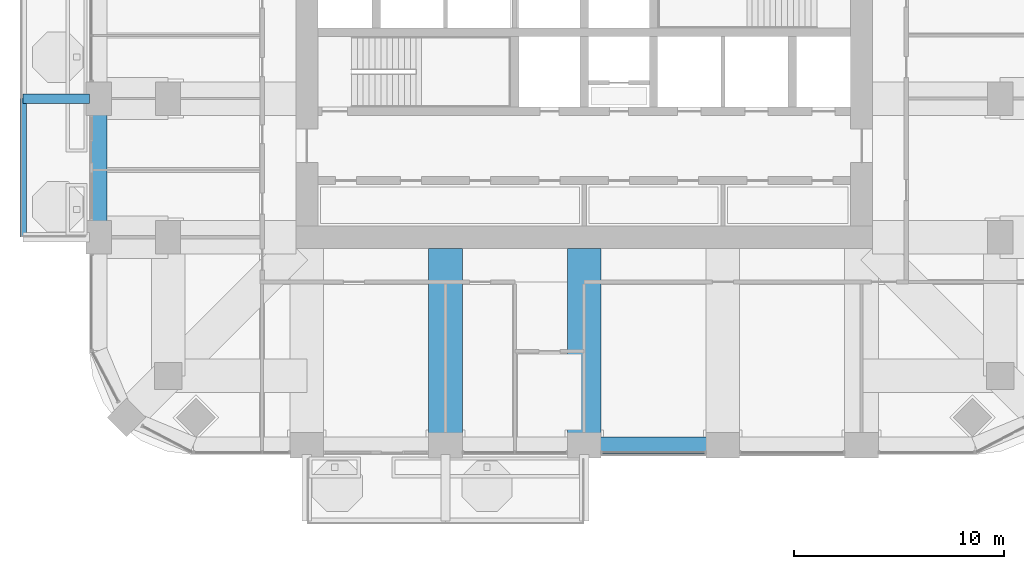
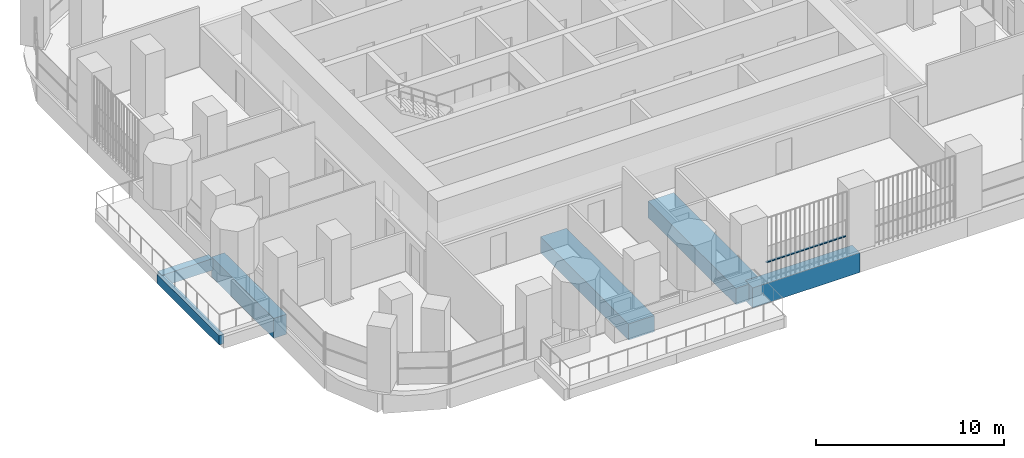
# One storey, part 3 of 20: 6 beams, 1 member, 1 element without a shape of its own.
"""IFC4 building model written with IfcOpenShell, lengths in metres."""

from ifc_helpers import new_model, si_unit, direction, frame, origin, origin_2d, place, context, subcontext, project, spatial, rectangle, extrude, material, material_profile, profile_set, type_object, element, aggregate, save


model = new_model("IFC4")

# Units and contexts
model_context = context("Model", 3, precision=1e-05, world=origin(), true_north=direction((0.0, 1.0)))
body_context = subcontext(model_context, "Body", "Model", "MODEL_VIEW")
ifc_project = project(units=[si_unit("LENGTHUNIT", "METRE"), si_unit("AREAUNIT", "SQUARE_METRE"), si_unit("VOLUMEUNIT", "CUBIC_METRE"), si_unit("PLANEANGLEUNIT", "RADIAN"), si_unit("MASSUNIT", "GRAM", prefix="KILO")], contexts=[model_context])

# Site, building, storey
site_placement = place(None, origin())
site = spatial("IfcSite", under=ifc_project, at=site_placement, CompositionType="ELEMENT")
building_placement = place(site_placement, origin())
building = spatial("IfcBuilding", under=site, at=building_placement, Name="Cobogo Forest Laboratory Tower", CompositionType="ELEMENT")
storey_placement = place(building_placement, frame((0.0, 0.0, 218.699951171875)))
storey = spatial("IfcBuildingStorey", under=building, at=storey_placement, Name="L50", CompositionType="ELEMENT", Elevation=218.699951171875)

# Beams
ifc_material_1 = material(Name="Concrete HA-40 (C40/50)", Category="concrete")
ifc_material_profile_1 = material_profile(ifc_material_1, rectangle(XDim=0.449951171875, YDim=0.75, at=origin_2d()), Name="RC 450x750")
ifc_profile_set_1 = profile_set([ifc_material_profile_1], Name="Concrete HA-40 (C40/50)")
beam_type_1 = type_object("IfcBeamType", Name="Balcony cantilever beam 450x750", PredefinedType="BEAM", material=ifc_profile_set_1)
beam_1_placement = place(storey_placement, frame((2.85009765625, 19.800048828125, -0.625), z_axis=(-1.0, 0.0, 0.0), x_axis=(0.0, -1.0, 0.0)))
element("IfcBeam", 1, at=beam_1_placement, inside=storey, type_object=beam_type_1, Name="CB1 BAL-W1-C2 L50", PredefinedType="BEAM", context=body_context, shape_type="SweptSolid", body=[
    extrude(rectangle(XDim=0.449951171875, YDim=0.75, at=origin_2d()), origin(), (0.0, 0.0, 1.0), 3.150146484375),
])
ifc_material_profile_2 = material_profile(ifc_material_1, rectangle(XDim=0.300048828125, YDim=0.60009765625, at=origin_2d()), Name="RC 300x600")
ifc_profile_set_2 = profile_set([ifc_material_profile_2], Name="Concrete HA-40 (C40/50)")
beam_type_2 = type_object("IfcBeamType", Name="Balcony edge beam 300x600", PredefinedType="BEAM", material=ifc_profile_set_2)
beam_2_placement = place(storey_placement, frame((-0.300048828125, 13.199951171875, -0.550048828125), z_axis=(0.0, 1.0, 0.0), x_axis=(-1.0, 0.0, 0.0)))
element("IfcBeam", 2, at=beam_2_placement, inside=storey, type_object=beam_type_2, Name="BB1 BAL-W1-T1 L50", PredefinedType="BEAM", context=body_context, shape_type="SweptSolid", body=[
    extrude(rectangle(XDim=0.300048828125, YDim=0.60009765625, at=origin_2d()), origin(), (0.0, 0.0, 1.0), 6.60009765625),
])
ifc_material_2 = material(Name="Concrete HA-50 (C50/60)", Category="concrete")
ifc_material_profile_3 = material_profile(ifc_material_2, rectangle(XDim=1.60009765625, YDim=1.050048828125, at=origin_2d()), Name="RC 1600x1050")
ifc_profile_set_3 = profile_set([ifc_material_profile_3], Name="Concrete HA-50 (C50/60)")
beam_type_3 = type_object("IfcBeamType", Name="Laboratory floor wide beam 1600x1050", PredefinedType="BEAM", material=ifc_profile_set_3)
for number, where, z_axis, x_axis, name in (
    (3, (19.800048828125, 12.675048828125, -0.824951171875), (0.0, -1.0, 0.0), (1.0, 0.0, 0.0), "RB8 R-4-S L50"),
    (4, (26.39990234375, 12.675048828125, -0.824951171875), (0.0, -1.0, 0.0), (1.0, 0.0, 0.0), "RB8 R-5-S L50"),
):
    element("IfcBeam", number, at=place(storey_placement, frame(where, z_axis=z_axis, x_axis=x_axis)), inside=storey, type_object=beam_type_3, Name=name, PredefinedType="BEAM", context=body_context, shape_type="SweptSolid", body=[
        extrude(rectangle(XDim=1.60009765625, YDim=1.050048828125, at=origin_2d()), origin(), (0.0, 0.0, 1.0), 9.375),
    ])
ifc_material_profile_4 = material_profile(ifc_material_1, rectangle(XDim=0.800048828125, YDim=1.300048828125, at=origin_2d()), Name="RC 800x1300")
ifc_profile_set_4 = profile_set([ifc_material_profile_4], Name="Concrete HA-40 (C40/50)")
beam_type_4 = type_object("IfcBeamType", Name="Perimeter edge beam 800x1300", PredefinedType="BEAM", material=ifc_profile_set_4)
for number, where, z_axis, x_axis, name in (
    (5, (26.39990234375, 3.300048828125, -0.949951171875), (1.0, 0.0, 0.0), (0.0, 1.0, 0.0), "EB2 E-S3 L50"),
    (6, (3.300048828125, 13.199951171875, -0.949951171875), (0.0, 1.0, 0.0), (-1.0, 0.0, 0.0), "EB2 E-W1 L50"),
):
    element("IfcBeam", number, at=place(storey_placement, frame(where, z_axis=z_axis, x_axis=x_axis)), inside=storey, type_object=beam_type_4, Name=name, PredefinedType="BEAM", context=body_context, shape_type="SweptSolid", body=[
        extrude(rectangle(XDim=0.800048828125, YDim=1.300048828125, at=origin_2d()), origin(), (0.0, 0.0, 1.0), 6.60009765625),
    ])

# Curtain wall, member
ifc_material_3 = material(Name="Aluminium curtain wall", Category="aluminium")
curtain_wall_type = type_object("IfcCurtainWallType", Name="CW-2 unitised curtain wall, solar control glazing, laboratory floors zones C and D", PredefinedType="USERDEFINED", material=ifc_material_3)
curtain_wall_placement = place(storey_placement, origin())
curtain_wall = element("IfcCurtainWall", 7, at=curtain_wall_placement, inside=storey, type_object=curtain_wall_type, Name="Curtain wall 04 L50", ObjectType="UNITISED CURTAIN WALL", PredefinedType="USERDEFINED")
ifc_material_4 = material(Name="Aluminium transom", Category="aluminium")
ifc_material_profile_5 = material_profile(ifc_material_4, rectangle(XDim=0.1201171875, YDim=0.06005859375, at=origin_2d()), Name="AL 60x120")
ifc_profile_set_5 = profile_set([ifc_material_profile_5], Name="Aluminium transom")
member_type = type_object("IfcMemberType", Name="TR-1 aluminium transom 60x120", PredefinedType="USERDEFINED", material=ifc_profile_set_5)
member_placement = place(storey_placement, frame((27.260009765625, 2.949951171875, 1.050048828125), z_axis=(1.0, 0.0, 0.0), x_axis=(0.0, 1.0, 0.0)))
member = element("IfcMember", 8, at=member_placement, type_object=member_type, Name="CW-2 transom 1.1", ObjectType="TRANSOM", PredefinedType="USERDEFINED", context=body_context, shape_type="SweptSolid", body=[
    extrude(rectangle(XDim=0.1201171875, YDim=0.06005859375, at=origin_2d()), origin(), (0.0, 0.0, 1.0), 4.8798828125),
])
aggregate(curtain_wall, [member])

save(model, "model.ifc")
